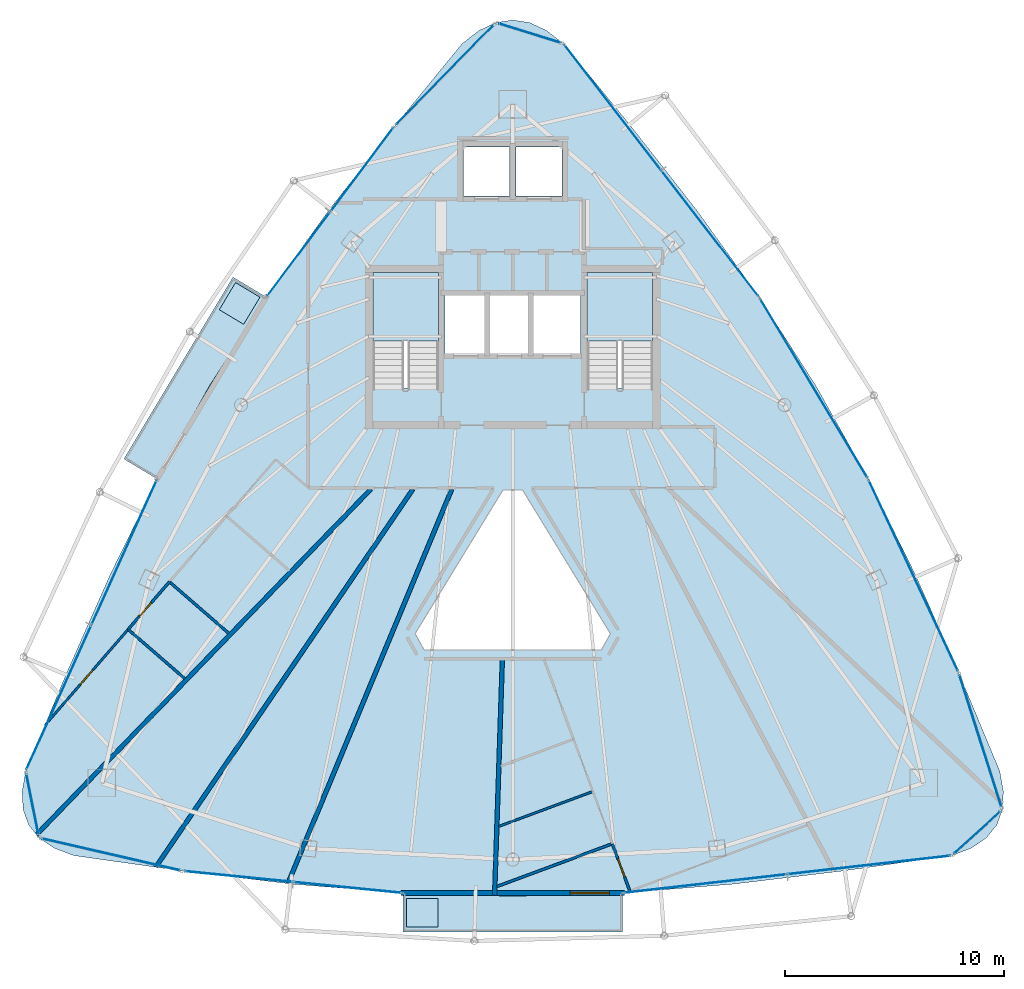
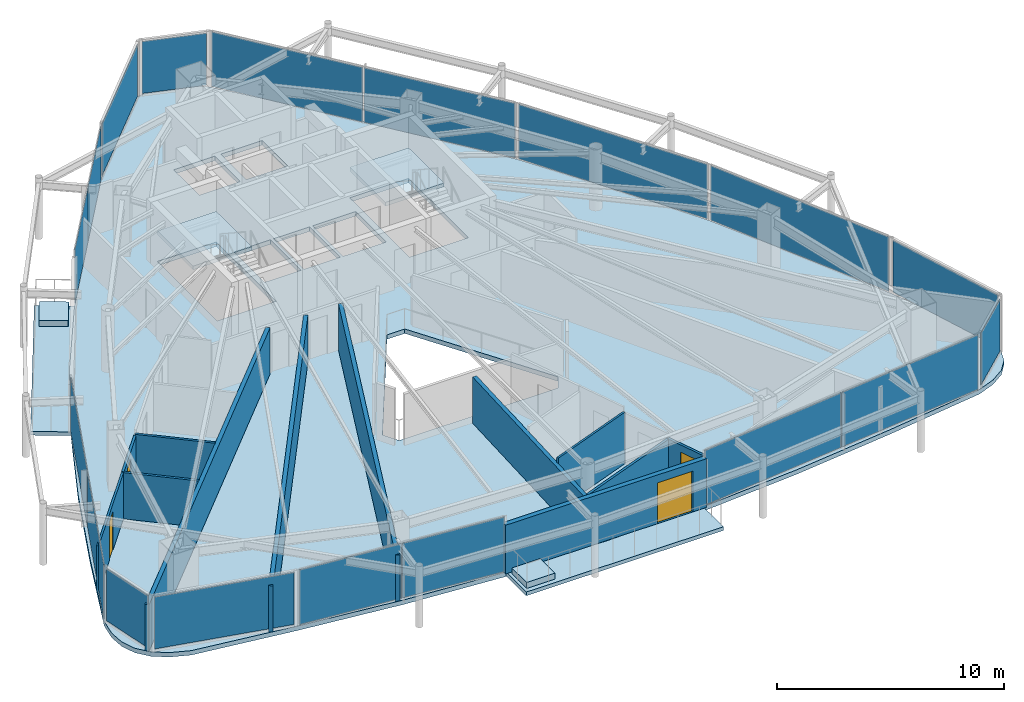
# One storey, part 25 of 29: 18 plates, 12 walls, 7 slabs, 4 doors, 4 openings, 15 elements without a shape of their own.
"""IFC4 building model written with IfcOpenShell, lengths in metres."""

from ifc_helpers import new_model, si_unit, direction, frame, frame_2d, origin, origin_2d, place, context, subcontext, project, spatial, polyline, rectangle, outline, extrude, material, layer, layer_set, type_object, element, fill, aggregate, save


model = new_model("IFC4")

# Units and contexts
model_context = context("Model", 3, precision=1e-05, world=origin(), true_north=direction((0.0, 1.0)))
body_context = subcontext(model_context, "Body", "Model", "MODEL_VIEW")
ifc_project = project(units=[si_unit("LENGTHUNIT", "METRE"), si_unit("AREAUNIT", "SQUARE_METRE"), si_unit("VOLUMEUNIT", "CUBIC_METRE"), si_unit("PLANEANGLEUNIT", "RADIAN"), si_unit("MASSUNIT", "GRAM", prefix="KILO")], contexts=[model_context])

# Site, building, storey
site_placement = place(None, origin())
site = spatial("IfcSite", under=ifc_project, at=site_placement, CompositionType="ELEMENT")
building_placement = place(site_placement, origin())
building = spatial("IfcBuilding", under=site, at=building_placement, Name="Orvanel Arch Residences", CompositionType="ELEMENT")
storey_placement = place(building_placement, frame((0.0, 0.0, 243.64990234375)))
storey = spatial("IfcBuildingStorey", under=building, at=storey_placement, Name="L69", CompositionType="ELEMENT", Elevation=243.64990234375)

# Curtain wall, plates
ifc_material_1 = material(Name="Bronze-anodised aluminium AA6063-T6", Category="aluminium")
ifc_layer_1 = layer(ifc_material_1, 0.175048828125)
ifc_layer_set_1 = layer_set([ifc_layer_1], Name="Bronze-anodised aluminium AA6063-T6")
curtain_wall_type_1 = type_object("IfcCurtainWallType", Name="CW4-HI-SYS", PredefinedType="NOTDEFINED", material=ifc_layer_set_1)
curtain_wall_1_placement = place(storey_placement, origin())
curtain_wall_1 = element("IfcCurtainWall", 1, at=curtain_wall_1_placement, inside=storey, type_object=curtain_wall_type_1, Name="L69 CW4-HI-SYS Unitised Curtain Wall", PredefinedType="NOTDEFINED")
ifc_material_2 = material(Name="Double-glazed solar-control low-E safety glass", Category="glass")
ifc_layer_2 = layer(ifc_material_2, 0.028076171875)
ifc_layer_set_2 = layer_set([ifc_layer_2], Name="Double-glazed solar-control low-E safety glass")
plate_type_1 = type_object("IfcPlateType", Name="PNL-GLZ-28", PredefinedType="CURTAIN_PANEL", material=ifc_layer_set_2)
plate_1_placement = place(storey_placement, frame((26.0966796875, 38.406494140625, 0.06005859375), z_axis=(0.0, 0.0, 1.0), x_axis=(-0.599901144567, -0.800074132032, 0.0)))
plate_1 = element("IfcPlate", 2, at=plate_1_placement, type_object=plate_type_1, Name="CW-S4 panel 1.1", PredefinedType="CURTAIN_PANEL", context=body_context, shape_type="SweptSolid", body=[
    extrude(rectangle(XDim=4.75830078125, YDim=0.028076171875, at=origin_2d()), origin(), (0.0, 0.0, 1.0), 2.93994140625),
])
plate_2_placement = place(storey_placement, frame((23.203369140625, 34.547607421875, 0.06005859375), z_axis=(0.0, 0.0, 1.0), x_axis=(-0.599901144567, -0.800074132032, 0.0)))
plate_2 = element("IfcPlate", 3, at=plate_2_placement, type_object=plate_type_1, Name="CW-S4 panel 2.1", PredefinedType="CURTAIN_PANEL", context=body_context, shape_type="SweptSolid", body=[
    extrude(rectangle(XDim=4.75830078125, YDim=0.028076171875, at=origin_2d()), origin(), (0.0, 0.0, 1.0), 2.93994140625),
])
aggregate(curtain_wall_1, [plate_1, plate_2])

curtain_wall_2_placement = place(storey_placement, origin())
curtain_wall_2 = element("IfcCurtainWall", 4, at=curtain_wall_2_placement, inside=storey, type_object=curtain_wall_type_1, Name="L69 CW4-HI-SYS Unitised Curtain Wall", PredefinedType="NOTDEFINED")
plate_3_placement = place(storey_placement, frame((15.220458984375, 20.89453125, 0.06005859375), z_axis=(0.0, 0.0, 1.0), x_axis=(-0.410572405987, -0.911827998826, 0.0)))
plate_3 = element("IfcPlate", 5, at=plate_3_placement, type_object=plate_type_1, Name="CW-S4 panel 1.1", PredefinedType="CURTAIN_PANEL", context=body_context, shape_type="SweptSolid", body=[
    extrude(rectangle(XDim=7.208251953125, YDim=0.028076171875, at=origin_2d()), origin(), (0.0, 0.0, 1.0), 2.93994140625),
])
plate_4_placement = place(storey_placement, frame((12.234375, 14.262451171875, 0.06005859375), z_axis=(0.0, 0.0, 1.0), x_axis=(-0.410572405987, -0.911827998826, 0.0)))
plate_4 = element("IfcPlate", 6, at=plate_4_placement, type_object=plate_type_1, Name="CW-S4 panel 2.1", PredefinedType="CURTAIN_PANEL", context=body_context, shape_type="SweptSolid", body=[
    extrude(rectangle(XDim=7.208251953125, YDim=0.028076171875, at=origin_2d()), origin(), (0.0, 0.0, 1.0), 2.93994140625),
])
aggregate(curtain_wall_2, [plate_3, plate_4])

curtain_wall_3_placement = place(storey_placement, origin())
curtain_wall_3 = element("IfcCurtainWall", 7, at=curtain_wall_3_placement, inside=storey, type_object=curtain_wall_type_1, Name="L69 CW4-HI-SYS Unitised Curtain Wall", PredefinedType="NOTDEFINED")
plate_5_placement = place(storey_placement, frame((20.470458984375, 6.065673828125, 0.06005859375), z_axis=(0.0, 0.0, 1.0), x_axis=(0.99505194986, -0.099356011792, 0.0)))
plate_5 = element("IfcPlate", 8, at=plate_5_placement, type_object=plate_type_1, Name="CW-S4 panel 1.1", PredefinedType="CURTAIN_PANEL", context=body_context, shape_type="SweptSolid", body=[
    extrude(rectangle(XDim=4.929931640625, YDim=0.028076171875, at=origin_2d()), origin(), (0.0, 0.0, 1.0), 2.93994140625),
])
plate_6_placement = place(storey_placement, frame((25.440673828125, 5.5693359375, 0.06005859375), z_axis=(0.0, 0.0, 1.0), x_axis=(0.99505194986, -0.099356011792, 0.0)))
plate_6 = element("IfcPlate", 9, at=plate_6_placement, type_object=plate_type_1, Name="CW-S4 panel 2.1", PredefinedType="CURTAIN_PANEL", context=body_context, shape_type="SweptSolid", body=[
    extrude(rectangle(XDim=4.929931640625, YDim=0.028076171875, at=origin_2d()), origin(), (0.0, 0.0, 1.0), 2.93994140625),
])
aggregate(curtain_wall_3, [plate_5, plate_6])

curtain_wall_4_placement = place(storey_placement, origin())
curtain_wall_4 = element("IfcCurtainWall", 10, at=curtain_wall_4_placement, inside=storey, type_object=curtain_wall_type_1, Name="L69 CW4-HI-SYS Unitised Curtain Wall", PredefinedType="NOTDEFINED")
plate_7_placement = place(storey_placement, frame((41.81494140625, 5.7470703125, 0.06005859375), z_axis=(0.0, 0.0, 1.0), x_axis=(0.993594966733, 0.113000186209, 0.0)))
plate_7 = element("IfcPlate", 11, at=plate_7_placement, type_object=plate_type_1, Name="CW-S4 panel 1.1", PredefinedType="CURTAIN_PANEL", context=body_context, shape_type="SweptSolid", body=[
    extrude(rectangle(XDim=7.46435546875, YDim=0.028076171875, at=origin_2d()), origin(), (0.0, 0.0, 1.0), 2.93994140625),
])
plate_8_placement = place(storey_placement, frame((49.296142578125, 6.597900390625, 0.06005859375), z_axis=(0.0, 0.0, 1.0), x_axis=(0.993594966733, 0.113000186209, 0.0)))
plate_8 = element("IfcPlate", 12, at=plate_8_placement, type_object=plate_type_1, Name="CW-S4 panel 2.1", PredefinedType="CURTAIN_PANEL", context=body_context, shape_type="SweptSolid", body=[
    extrude(rectangle(XDim=7.46435546875, YDim=0.028076171875, at=origin_2d()), origin(), (0.0, 0.0, 1.0), 2.93994140625),
])
aggregate(curtain_wall_4, [plate_7, plate_8])

# Curtain wall, plate
curtain_wall_5_placement = place(storey_placement, origin())
curtain_wall_5 = element("IfcCurtainWall", 13, at=curtain_wall_5_placement, inside=storey, type_object=curtain_wall_type_1, Name="L69 CW4-HI-SYS Unitised Curtain Wall", PredefinedType="NOTDEFINED")
plate_9_placement = place(storey_placement, frame((51.32958984375, 19.840576171875, 0.06005859375), z_axis=(0.0, 0.0, 1.0), x_axis=(-0.423460283576, 0.9059146694, 0.0)))
plate_9 = element("IfcPlate", 14, at=plate_9_placement, type_object=plate_type_1, Name="CW-S4 panel 1.1", PredefinedType="CURTAIN_PANEL", context=body_context, shape_type="SweptSolid", body=[
    extrude(rectangle(XDim=9.582763671875, YDim=0.028076171875, at=origin_2d()), origin(), (0.0, 0.0, 1.0), 2.93994140625),
])
aggregate(curtain_wall_5, [plate_9])

curtain_wall_6_placement = place(storey_placement, origin())
curtain_wall_6 = element("IfcCurtainWall", 15, at=curtain_wall_6_placement, inside=storey, type_object=curtain_wall_type_1, Name="L69 CW4-HI-SYS Unitised Curtain Wall", PredefinedType="NOTDEFINED")
plate_10_placement = place(storey_placement, frame((46.77001953125, 28.4169921875, 0.06005859375), z_axis=(0.0, 0.0, 1.0), x_axis=(-0.514465309766, 0.857511192375, 0.0)))
plate_10 = element("IfcPlate", 16, at=plate_10_placement, type_object=plate_type_1, Name="CW-S4 panel 1.1", PredefinedType="CURTAIN_PANEL", context=body_context, shape_type="SweptSolid", body=[
    extrude(rectangle(XDim=9.530517578125, YDim=0.028076171875, at=origin_2d()), origin(), (0.0, 0.0, 1.0), 2.93994140625),
])
aggregate(curtain_wall_6, [plate_10])

# Curtain wall, plates
curtain_wall_7_placement = place(storey_placement, origin())
curtain_wall_7 = element("IfcCurtainWall", 17, at=curtain_wall_7_placement, inside=storey, type_object=curtain_wall_type_1, Name="L69 CW4-HI-SYS Unitised Curtain Wall", PredefinedType="NOTDEFINED")
plate_11_placement = place(storey_placement, frame((42.0205078125, 35.495849609375, 0.06005859375), z_axis=(0.0, 0.0, 1.0), x_axis=(-0.611198135446, 0.791477630276, 0.0)))
plate_11 = element("IfcPlate", 18, at=plate_11_placement, type_object=plate_type_1, Name="CW-S4 panel 1.1", PredefinedType="CURTAIN_PANEL", context=body_context, shape_type="SweptSolid", body=[
    extrude(rectangle(XDim=7.207763671875, YDim=0.028076171875, at=origin_2d()), origin(), (0.0, 0.0, 1.0), 2.93994140625),
])
plate_12_placement = place(storey_placement, frame((37.575439453125, 41.252197265625, 0.06005859375), z_axis=(0.0, 0.0, 1.0), x_axis=(-0.611198135446, 0.791477630276, 0.0)))
plate_12 = element("IfcPlate", 19, at=plate_12_placement, type_object=plate_type_1, Name="CW-S4 panel 2.1", PredefinedType="CURTAIN_PANEL", context=body_context, shape_type="SweptSolid", body=[
    extrude(rectangle(XDim=7.207763671875, YDim=0.028076171875, at=origin_2d()), origin(), (0.0, 0.0, 1.0), 2.93994140625),
])
aggregate(curtain_wall_7, [plate_11, plate_12])

# Curtain wall, plate
ifc_layer_3 = layer(ifc_material_1, 0.18994140625)
ifc_layer_set_3 = layer_set([ifc_layer_3], Name="Bronze-anodised aluminium AA6063-T6")
curtain_wall_type_2 = type_object("IfcCurtainWallType", Name="CW5-CRN-SYS", PredefinedType="NOTDEFINED", material=ifc_layer_set_3)
curtain_wall_8_placement = place(storey_placement, origin())
curtain_wall_8 = element("IfcCurtainWall", 20, at=curtain_wall_8_placement, inside=storey, type_object=curtain_wall_type_2, Name="L69 CW5-CRN-SYS Unitised Curtain Wall", PredefinedType="NOTDEFINED")
ifc_layer_4 = layer(ifc_material_2, 0.031982421875)
ifc_layer_set_4 = layer_set([ifc_layer_4], Name="Double-glazed solar-control low-E safety glass")
plate_type_2 = type_object("IfcPlateType", Name="PNL-GLZ-32", PredefinedType="CURTAIN_PANEL", material=ifc_layer_set_4)
plate_13_placement = place(storey_placement, frame((33.7734375, 44.654052734375, 0.1298828125), z_axis=(0.0, 0.0, 1.0), x_axis=(-0.954774052968, 0.297332318759, 0.0)))
plate_13 = element("IfcPlate", 21, at=plate_13_placement, type_object=plate_type_2, Name="CW-S5 panel 1.1", PredefinedType="CURTAIN_PANEL", context=body_context, shape_type="SweptSolid", body=[
    extrude(rectangle(XDim=2.90185546875, YDim=0.031982421875, at=origin_2d()), origin(), (0.0, 0.0, 1.0), 2.800048828125),
])
aggregate(curtain_wall_8, [plate_13])

curtain_wall_9_placement = place(storey_placement, origin())
curtain_wall_9 = element("IfcCurtainWall", 22, at=curtain_wall_9_placement, inside=storey, type_object=curtain_wall_type_2, Name="L69 CW5-CRN-SYS Unitised Curtain Wall", PredefinedType="NOTDEFINED")
plate_14_placement = place(storey_placement, frame((29.900390625, 42.757080078125, 0.1298828125), z_axis=(0.0, 0.0, 1.0), x_axis=(-0.69897161419, -0.71514941275, 0.0)))
plate_14 = element("IfcPlate", 23, at=plate_14_placement, type_object=plate_type_2, Name="CW-S5 panel 1.1", PredefinedType="CURTAIN_PANEL", context=body_context, shape_type="SweptSolid", body=[
    extrude(rectangle(XDim=6.31396484375, YDim=0.031982421875, at=origin_2d()), origin(), (0.0, 0.0, 1.0), 2.800048828125),
])
aggregate(curtain_wall_9, [plate_14])

curtain_wall_10_placement = place(storey_placement, origin())
curtain_wall_10 = element("IfcCurtainWall", 24, at=curtain_wall_10_placement, inside=storey, type_object=curtain_wall_type_2, Name="L69 CW5-CRN-SYS Unitised Curtain Wall", PredefinedType="NOTDEFINED")
plate_15_placement = place(storey_placement, frame((11.02490234375, 9.367919921875, 0.1298828125), z_axis=(0.0, 0.0, 1.0), x_axis=(0.195367162167, -0.980730172854, 0.0)))
plate_15 = element("IfcPlate", 25, at=plate_15_placement, type_object=plate_type_2, Name="CW-S5 panel 1.1", PredefinedType="CURTAIN_PANEL", context=body_context, shape_type="SweptSolid", body=[
    extrude(rectangle(XDim=2.781494140625, YDim=0.031982421875, at=origin_2d()), origin(), (0.0, 0.0, 1.0), 2.800048828125),
])
aggregate(curtain_wall_10, [plate_15])

curtain_wall_11_placement = place(storey_placement, origin())
curtain_wall_11 = element("IfcCurtainWall", 26, at=curtain_wall_11_placement, inside=storey, type_object=curtain_wall_type_2, Name="L69 CW5-CRN-SYS Unitised Curtain Wall", PredefinedType="NOTDEFINED")
plate_16_placement = place(storey_placement, frame((14.631591796875, 7.077880859375, 0.1298828125), z_axis=(0.0, 0.0, 1.0), x_axis=(0.974553565223, -0.224154742337, 0.0)))
plate_16 = element("IfcPlate", 27, at=plate_16_placement, type_object=plate_type_2, Name="CW-S5 panel 1.1", PredefinedType="CURTAIN_PANEL", context=body_context, shape_type="SweptSolid", body=[
    extrude(rectangle(XDim=6.4365234375, YDim=0.031982421875, at=origin_2d()), origin(), (0.0, 0.0, 1.0), 2.800048828125),
])
aggregate(curtain_wall_11, [plate_16])

curtain_wall_12_placement = place(storey_placement, origin())
curtain_wall_12 = element("IfcCurtainWall", 28, at=curtain_wall_12_placement, inside=storey, type_object=curtain_wall_type_2, Name="L69 CW5-CRN-SYS Unitised Curtain Wall", PredefinedType="NOTDEFINED")
plate_17_placement = place(storey_placement, frame((54.244384765625, 8.077880859375, 0.1298828125), z_axis=(0.0, 0.0, 1.0), x_axis=(0.740204322001, 0.672382005775, 0.0)))
plate_17 = element("IfcPlate", 29, at=plate_17_placement, type_object=plate_type_2, Name="CW-S5 panel 1.1", PredefinedType="CURTAIN_PANEL", context=body_context, shape_type="SweptSolid", body=[
    extrude(rectangle(XDim=2.781494140625, YDim=0.031982421875, at=origin_2d()), origin(), (0.0, 0.0, 1.0), 2.800048828125),
])
aggregate(curtain_wall_12, [plate_17])

curtain_wall_13_placement = place(storey_placement, origin())
curtain_wall_13 = element("IfcCurtainWall", 30, at=curtain_wall_13_placement, inside=storey, type_object=curtain_wall_type_2, Name="L69 CW5-CRN-SYS Unitised Curtain Wall", PredefinedType="NOTDEFINED")
plate_18_placement = place(storey_placement, frame((54.39697265625, 12.27490234375, 0.1298828125), z_axis=(0.0, 0.0, 1.0), x_axis=(-0.303593263494, 0.952801726678, 0.0)))
plate_18 = element("IfcPlate", 31, at=plate_18_placement, type_object=plate_type_2, Name="CW-S5 panel 1.1", PredefinedType="CURTAIN_PANEL", context=body_context, shape_type="SweptSolid", body=[
    extrude(rectangle(XDim=6.26806640625, YDim=0.031982421875, at=origin_2d()), origin(), (0.0, 0.0, 1.0), 2.800048828125),
])
aggregate(curtain_wall_13, [plate_18])

# Slabs
ifc_material_3 = material(Name="Concrete N40 (40 MPa)", Category="concrete")
ifc_layer_5 = layer(ifc_material_3, 0.199951171875)
ifc_layer_set_5 = layer_set([ifc_layer_5], Name="Concrete N40 (40 MPa)")
slab_type_1 = type_object("IfcSlabType", Name="SLB-BAL-200", PredefinedType="FLOOR", material=ifc_layer_set_5)
slab_1_placement = place(storey_placement, frame((0.0, 0.0, -0.199951171875)))
element("IfcSlab", 32, at=slab_1_placement, inside=storey, type_object=slab_type_1, Name="L69 Cantilevered Balcony Slab Face 1", PredefinedType="FLOOR", context=body_context, shape_type="SweptSolid", body=[
    extrude(outline(polyline([(20.197998046875, 33.491943359375), (15.208984375, 25.173095703125), (16.735107421875, 24.258056640625), (19.10888671875, 28.489013671875), (21.72509765625, 32.575927734375), (20.197998046875, 33.491943359375)])), origin(), (0.0, 0.0, 1.0), 0.199951171875),
])
slab_2_placement = place(storey_placement, frame((0.0, 0.0, -0.199951171875)))
element("IfcSlab", 33, at=slab_2_placement, inside=storey, type_object=slab_type_1, Name="L69 Cantilevered Balcony Slab Face 2", PredefinedType="FLOOR", context=body_context, shape_type="SweptSolid", body=[
    extrude(outline(polyline([(27.97802734375, 3.535888671875), (38.02197265625, 3.535888671875), (38.02197265625, 5.31591796875), (33.0, 5.174072265625), (27.97802734375, 5.31591796875), (27.97802734375, 3.535888671875)])), origin(), (0.0, 0.0, 1.0), 0.199951171875),
])

# Stair, slab
ifc_material_4 = material(Name="Precast concrete N50 (50 MPa)", Category="concrete")
stair_type = type_object("IfcStairType", Name="STR-DOG-184", PredefinedType="USERDEFINED", material=ifc_material_4)
stair_1_placement = place(storey_placement, origin())
stair_1 = element("IfcStair", 34, at=stair_1_placement, inside=storey, type_object=stair_type, Name="L69 Fire-Isolated Core Exit Stair 1", ObjectType="TWO_RETURN_STAIR", PredefinedType="USERDEFINED")
ifc_layer_6 = layer(ifc_material_3, 0.199951171875)
ifc_layer_set_6 = layer_set([ifc_layer_6], Name="Concrete N40 (40 MPa)")
slab_type_2 = type_object("IfcSlabType", Name="SLB-LND-200", PredefinedType="LANDING", material=ifc_layer_set_6)
slab_3_placement = place(storey_placement, frame((0.0, 0.0, 1.4501953125)))
slab_3 = element("IfcSlab", 35, at=slab_3_placement, type_object=slab_type_2, Name="ST-1 landing 1", PredefinedType="LANDING", context=body_context, shape_type="SweptSolid", body=[
    extrude(outline(polyline([(29.60009765625, 30.56005859375), (29.60009765625, 33.699951171875), (26.60009765625, 33.699951171875), (26.60009765625, 30.56005859375), (29.60009765625, 30.56005859375)])), origin(), (0.0, 0.0, 1.0), 0.199951171875),
])
aggregate(stair_1, [slab_3])

stair_2_placement = place(storey_placement, origin())
stair_2 = element("IfcStair", 36, at=stair_2_placement, inside=storey, type_object=stair_type, Name="L69 Fire-Isolated Core Exit Stair 2", ObjectType="TWO_RETURN_STAIR", PredefinedType="USERDEFINED")
slab_4_placement = place(storey_placement, frame((0.0, 0.0, 1.4501953125)))
slab_4 = element("IfcSlab", 37, at=slab_4_placement, type_object=slab_type_2, Name="ST-2 landing 1", PredefinedType="LANDING", context=body_context, shape_type="SweptSolid", body=[
    extrude(outline(polyline([(39.39990234375, 30.56005859375), (39.39990234375, 33.699951171875), (36.39990234375, 33.699951171875), (36.39990234375, 30.56005859375), (39.39990234375, 30.56005859375)])), origin(), (0.0, 0.0, 1.0), 0.199951171875),
])
aggregate(stair_2, [slab_4])

# Slabs
ifc_material_5 = material(Name="Structural architectural precast concrete N40 (40 MPa) planter", Category="concrete")
ifc_layer_7 = layer(ifc_material_5, 0.320068359375)
ifc_layer_set_7 = layer_set([ifc_layer_7], Name="Structural architectural precast concrete N40 (40 MPa) planter")
slab_type_3 = type_object("IfcSlabType", Name="SLB-PLN-320", PredefinedType="USERDEFINED", material=ifc_layer_set_7)
slab_5_placement = place(storey_placement, origin())
element("IfcSlab", 38, at=slab_5_placement, inside=storey, type_object=slab_type_3, Name="L69 Balcony TREE PLANTER Face 1", ObjectType="PLANTER", PredefinedType="USERDEFINED", context=body_context, shape_type="SweptSolid", body=[
    extrude(outline(polyline([(20.318115234375, 33.2451171875), (19.572998046875, 32.0009765625), (20.68701171875, 31.3330078125), (21.43310546875, 32.575927734375), (20.318115234375, 33.2451171875)])), origin(), (0.0, 0.0, 1.0), 0.320068359375),
])
slab_6_placement = place(storey_placement, origin())
element("IfcSlab", 39, at=slab_6_placement, inside=storey, type_object=slab_type_3, Name="L69 Balcony TREE PLANTER Face 2", ObjectType="PLANTER", PredefinedType="USERDEFINED", context=body_context, shape_type="SweptSolid", body=[
    extrude(outline(polyline([(28.1279296875, 3.76611328125), (29.577880859375, 3.76611328125), (29.577880859375, 5.06591796875), (28.1279296875, 5.06591796875), (28.1279296875, 3.76611328125)])), origin(), (0.0, 0.0, 1.0), 0.320068359375),
])
ifc_layer_8 = layer(ifc_material_3, 0.239990234375)
ifc_layer_set_8 = layer_set([ifc_layer_8], Name="Concrete N40 (40 MPa)")
slab_type_4 = type_object("IfcSlabType", Name="SLB-TYP-240", PredefinedType="FLOOR", material=ifc_layer_set_8)
slab_7_placement = place(storey_placement, frame((0.0, 0.0, -0.239990234375)))
element("IfcSlab", 40, at=slab_7_placement, inside=storey, type_object=slab_type_4, Name="L69 Tower Floor Slab", PredefinedType="FLOOR", context=body_context, shape_type="SweptSolid", body=[
    extrude(outline(polyline([(35.321044921875, 44.172119140625), (34.547119140625, 44.77392578125), (33.77392578125, 45.135986328125), (33.0, 45.256103515625), (32.22607421875, 45.135986328125), (31.452880859375, 44.77392578125), (30.678955078125, 44.172119140625), (27.574951171875, 40.3779296875), (24.56396484375, 36.529052734375), (21.72509765625, 32.575927734375), (19.10888671875, 28.489013671875), (16.735107421875, 24.258056640625), (14.5849609375, 19.89208984375), (12.60595703125, 15.423095703125), (10.719970703125, 10.89892578125), (10.552978515625, 9.952880859375), (10.60009765625, 9.126953125), (10.85791015625, 8.422119140625), (11.330078125, 7.8369140625), (12.013916015625, 7.373046875), (12.910888671875, 7.029052734375), (17.93310546875, 6.319091796875), (22.9560546875, 5.718017578125), (27.97802734375, 5.31591796875), (33.0, 5.174072265625), (38.02197265625, 5.31591796875), (43.0439453125, 5.718017578125), (48.06689453125, 6.319091796875), (53.089111328125, 7.029052734375), (53.986083984375, 7.373046875), (54.669921875, 7.8369140625), (55.14208984375, 8.422119140625), (55.39990234375, 9.126953125), (55.447021484375, 9.952880859375), (55.280029296875, 10.89892578125), (53.39404296875, 15.423095703125), (51.4150390625, 19.89208984375), (49.264892578125, 24.258056640625), (46.89111328125, 28.489013671875), (44.27490234375, 32.575927734375), (41.43603515625, 36.529052734375), (38.425048828125, 40.3779296875), (35.321044921875, 44.172119140625)]), holes=[polyline([(26.60009765625, 28.429931640625), (26.60009765625, 33.699951171875), (29.60009765625, 33.699951171875), (29.60009765625, 28.429931640625), (26.60009765625, 28.429931640625)]), polyline([(36.39990234375, 28.429931640625), (36.39990234375, 33.699951171875), (39.39990234375, 33.699951171875), (39.39990234375, 28.429931640625), (36.39990234375, 28.429931640625)]), polyline([(29.89990234375, 32.64990234375), (31.75, 32.64990234375), (31.75, 29.949951171875), (29.89990234375, 29.949951171875), (29.89990234375, 32.64990234375)]), polyline([(31.89990234375, 32.64990234375), (33.75, 32.64990234375), (33.75, 29.949951171875), (31.89990234375, 29.949951171875), (31.89990234375, 32.64990234375)]), polyline([(33.89990234375, 32.64990234375), (36.10009765625, 32.64990234375), (36.10009765625, 29.949951171875), (33.89990234375, 29.949951171875), (33.89990234375, 32.64990234375)]), polyline([(30.75, 39.449951171875), (32.85009765625, 39.449951171875), (32.85009765625, 37.199951171875), (30.75, 37.199951171875), (30.75, 39.449951171875)]), polyline([(33.14990234375, 39.449951171875), (35.25, 39.449951171875), (35.25, 37.199951171875), (33.14990234375, 37.199951171875), (33.14990234375, 39.449951171875)]), polyline([(37.468017578125, 17.179931640625), (37.052001953125, 16.43896484375), (28.947998046875, 16.43896484375), (28.531982421875, 17.179931640625), (32.547119140625, 23.7470703125), (33.452880859375, 23.7470703125), (37.468017578125, 17.179931640625)])]), origin(), (0.0, 0.0, 1.0), 0.239990234375),
])

# Wall, opening, door
ifc_layer_9 = layer(ifc_material_4, 0.239990234375)
ifc_layer_set_9 = layer_set([ifc_layer_9], Name="Precast concrete N50 (50 MPa)")
wall_type_1 = type_object("IfcWallType", Name="EW-BAL-240", PredefinedType="SOLIDWALL", material=ifc_layer_set_9)
wall_1_placement = place(storey_placement, frame((27.8798828125, 5.31591796875, 0.0), z_axis=(0.0, 0.0, 1.0), x_axis=(1.0, 0.0, 0.0)))
wall_1 = element("IfcWall", 41, at=wall_1_placement, inside=storey, type_object=wall_type_1, Name="L69 Balcony Threshold Wall Face 2", PredefinedType="SOLIDWALL", context=body_context, shape_type="SweptSolid", body=[
    extrude(rectangle(XDim=10.240234375, YDim=0.239990234375, at=frame_2d((5.1201171875, 0.0))), origin(), (0.0, 0.0, 1.0), 2.6240234375),
])
opening_1_placement = place(wall_1_placement, frame((7.742919921875, 0.0, 0.0)))
opening_1 = element("IfcOpeningElement", 42, at=opening_1_placement, cuts=wall_1, Name="Opening DB-180", PredefinedType="OPENING", context=body_context, shape_type="SweptSolid", body=[
    extrude(rectangle(XDim=1.800048828125, YDim=2.199951171875, at=frame_2d((0.89990234375, 1.10009765625))), frame((0.0, 0.1298828125, 0.0), z_axis=(0.0, -1.0, 0.0), x_axis=(1.0, 0.0, 0.0)), (0.0, 0.0, 1.0), 0.260009765625),
])
door_type_1 = type_object("IfcDoorType", Name="DR-BAL-1800", OperationType="NOTDEFINED", PredefinedType="DOOR", material=ifc_material_1)
door_1_placement = place(opening_1_placement, origin())
door_1 = element("IfcDoor", 43, at=door_1_placement, inside=storey, type_object=door_type_1, Name="DR-L69-BAL-F2 L69 Planted Balcony Access Door Face 2", OperationType="SINGLE_SWING_RIGHT", OverallHeight=2.199951171875, OverallWidth=1.800048828125, PredefinedType="DOOR", context=body_context, shape_type="SweptSolid", body=[
    extrude(rectangle(XDim=1.800048828125, YDim=2.199951171875, at=frame_2d((0.89990234375, 1.10009765625))), frame((0.0, 0.02490234375, 0.0), z_axis=(0.0, -1.0, 0.0), x_axis=(1.0, 0.0, 0.0)), (0.0, 0.0, 1.0), 0.050048828125),
])
fill(opening_1, door_1)

# Walls
ifc_material_6 = material(Name="Fire-rated plasterboard lined steel stud partition", Category="steel")
ifc_layer_10 = layer(ifc_material_6, 0.199951171875)
ifc_layer_set_10 = layer_set([ifc_layer_10], Name="Fire-rated plasterboard lined steel stud partition")
wall_type_2 = type_object("IfcWallType", Name="W-DEM-200", PredefinedType="PARTITIONING", material=ifc_layer_set_10)
wall_2_placement = place(storey_placement, frame((32.1689453125, 5.212890625, 0.0), z_axis=(0.0, 0.0, 1.0), x_axis=(0.032863548895, 0.999459847695, 0.0)))
element("IfcWall", 44, at=wall_2_placement, inside=storey, type_object=wall_type_2, Name="L69 Inter-Tenancy Acoustic Demising Wall", PredefinedType="PARTITIONING", context=body_context, shape_type="SweptSolid", body=[
    extrude(rectangle(XDim=10.77197265625, YDim=0.199951171875, at=frame_2d((5.385986328125, 0.0))), origin(), (0.0, 0.0, 1.0), 2.4921875),
])
wall_3_placement = place(storey_placement, frame((26.508056640625, 23.7900390625, 0.0), z_axis=(0.0, 0.0, 1.0), x_axis=(-0.695365551949, -0.71865621069, 0.0)))
element("IfcWall", 45, at=wall_3_placement, inside=storey, type_object=wall_type_2, Name="L69 Inter-Tenancy Acoustic Demising Wall", PredefinedType="PARTITIONING", context=body_context, shape_type="SweptSolid", body=[
    extrude(rectangle(XDim=21.9814453125, YDim=0.199951171875, at=frame_2d((10.99072265625, 0.0))), origin(), (0.0, 0.0, 1.0), 2.4921875),
])
wall_4_placement = place(storey_placement, frame((22.717041015625, 5.760986328125, 0.0), z_axis=(0.0, 0.0, 1.0), x_axis=(0.383820587854, 0.923407686961, 0.0)))
element("IfcWall", 46, at=wall_4_placement, inside=storey, type_object=wall_type_2, Name="L69 Inter-Tenancy Acoustic Demising Wall", PredefinedType="PARTITIONING", context=body_context, shape_type="SweptSolid", body=[
    extrude(rectangle(XDim=19.5244140625, YDim=0.199951171875, at=frame_2d((9.76220703125, 0.0))), origin(), (0.0, 0.0, 1.0), 2.4921875),
])
wall_5_placement = place(storey_placement, frame((16.674072265625, 6.510986328125, 0.0), z_axis=(0.0, 0.0, 1.0), x_axis=(0.562645442508, 0.82669831621, 0.0)))
element("IfcWall", 47, at=wall_5_placement, inside=storey, type_object=wall_type_2, Name="L69 Inter-Tenancy Acoustic Demising Wall", PredefinedType="PARTITIONING", context=body_context, shape_type="SweptSolid", body=[
    extrude(rectangle(XDim=20.9013671875, YDim=0.199951171875, at=frame_2d((10.45068359375, 0.0))), origin(), (0.0, 0.0, 1.0), 2.4921875),
])
ifc_material_7 = material(Name="Acoustic plasterboard lined twin-stud partition", Category="gypsum")
ifc_layer_11 = layer(ifc_material_7, 0.10009765625)
ifc_layer_set_11 = layer_set([ifc_layer_11], Name="Acoustic plasterboard lined twin-stud partition")
wall_type_3 = type_object("IfcWallType", Name="W-INT-100", PredefinedType="PARTITIONING", material=ifc_layer_set_11)
wall_6_placement = place(storey_placement, frame((32.35791015625, 8.364013671875, 0.0), z_axis=(0.0, 0.0, 1.0), x_axis=(0.937636593966, 0.34761705605, 0.0)))
element("IfcWall", 48, at=wall_6_placement, inside=storey, type_object=wall_type_3, Name="L69 Studio B Internal Partition", PredefinedType="PARTITIONING", context=body_context, shape_type="SweptSolid", body=[
    extrude(rectangle(XDim=4.5966796875, YDim=0.10009765625, at=frame_2d((2.29833984375, 0.0))), origin(), (0.0, 0.0, 1.0), 2.773193359375),
])

# Wall, opening, door
wall_7_placement = place(storey_placement, frame((15.403076171875, 17.3759765625, 0.0), z_axis=(0.0, 0.0, 1.0), x_axis=(-0.655535791639, -0.755164105265, 0.0)))
wall_7 = element("IfcWall", 49, at=wall_7_placement, inside=storey, type_object=wall_type_3, Name="L69 Studio C Internal Partition", PredefinedType="PARTITIONING", context=body_context, shape_type="SweptSolid", body=[
    extrude(rectangle(XDim=5.802734375, YDim=0.10009765625, at=frame_2d((2.9013671875, 0.0))), origin(), (0.0, 0.0, 1.0), 2.4921875),
])
opening_2_placement = place(wall_7_placement, frame((2.4609375, 0.0, 0.0)))
opening_2 = element("IfcOpeningElement", 50, at=opening_2_placement, cuts=wall_7, Name="Opening DI-088", PredefinedType="OPENING", context=body_context, shape_type="SweptSolid", body=[
    extrude(rectangle(XDim=0.8798828125, YDim=2.10009765625, at=frame_2d((0.43994140625, 1.050048828125))), frame((0.0, 0.06005859375, 0.0), z_axis=(0.0, -1.0, 0.0), x_axis=(1.0, 0.0, 0.0)), (0.0, 0.0, 1.0), 0.1201171875),
])
ifc_material_8 = material(Name="Solid-core European oak veneer fire door leaf", Category="wood")
door_type_2 = type_object("IfcDoorType", Name="DR-INT-880", OperationType="NOTDEFINED", PredefinedType="DOOR", material=ifc_material_8)
door_2_placement = place(opening_2_placement, origin())
door_2 = element("IfcDoor", 51, at=door_2_placement, inside=storey, type_object=door_type_2, Name="DR-L69-C-DIN1 L69 Studio C Dining Room 1 Door", OperationType="SINGLE_SWING_LEFT", OverallHeight=2.10009765625, OverallWidth=0.8798828125, PredefinedType="DOOR", context=body_context, shape_type="SweptSolid", body=[
    extrude(rectangle(XDim=0.8798828125, YDim=2.10009765625, at=frame_2d((0.43994140625, 1.050048828125))), frame((0.0, 0.02490234375, 0.0), z_axis=(0.0, -1.0, 0.0), x_axis=(1.0, 0.0, 0.0)), (0.0, 0.0, 1.0), 0.050048828125),
])
fill(opening_2, door_2)

ifc_layer_12 = layer(ifc_material_7, 0.1201171875)
ifc_layer_set_12 = layer_set([ifc_layer_12], Name="Acoustic plasterboard lined twin-stud partition")
wall_type_4 = type_object("IfcWallType", Name="W-WET-120", PredefinedType="PARTITIONING", material=ifc_layer_set_12)
wall_8_placement = place(storey_placement, frame((38.375, 5.35791015625, 0.0), z_axis=(0.0, 0.0, 1.0), x_axis=(-0.347822952978, 0.937560234535, 0.0)))
wall_8 = element("IfcWall", 52, at=wall_8_placement, inside=storey, type_object=wall_type_4, Name="L69 Studio B Internal Partition", PredefinedType="PARTITIONING", context=body_context, shape_type="SweptSolid", body=[
    extrude(rectangle(XDim=2.360595703125, YDim=0.1201171875, at=frame_2d((1.18017578125, 0.0))), origin(), (0.0, 0.0, 1.0), 2.4921875),
])
opening_3_placement = place(wall_8_placement, frame((0.739990234375, 0.0, 0.0)))
opening_3 = element("IfcOpeningElement", 53, at=opening_3_placement, cuts=wall_8, Name="Opening DI-088", PredefinedType="OPENING", context=body_context, shape_type="SweptSolid", body=[
    extrude(rectangle(XDim=0.8798828125, YDim=2.10009765625, at=frame_2d((0.43994140625, 1.050048828125))), frame((0.0, 0.070068359375, 0.0), z_axis=(0.0, -1.0, 0.0), x_axis=(1.0, 0.0, 0.0)), (0.0, 0.0, 1.0), 0.14013671875),
])
door_3_placement = place(opening_3_placement, origin())
door_3 = element("IfcDoor", 54, at=door_3_placement, inside=storey, type_object=door_type_2, Name="DR-L69-B-KIT L69 Studio B Kitchenette Door", OperationType="SINGLE_SWING_LEFT", OverallHeight=2.10009765625, OverallWidth=0.8798828125, PredefinedType="DOOR", context=body_context, shape_type="SweptSolid", body=[
    extrude(rectangle(XDim=0.8798828125, YDim=2.10009765625, at=frame_2d((0.43994140625, 1.050048828125))), frame((0.0, 0.02490234375, 0.0), z_axis=(0.0, -1.0, 0.0), x_axis=(1.0, 0.0, 0.0)), (0.0, 0.0, 1.0), 0.050048828125),
])
fill(opening_3, door_3)

# Wall
wall_9_placement = place(storey_placement, frame((32.26708984375, 5.611083984375, 0.0), z_axis=(0.0, 0.0, 1.0), x_axis=(0.937641120959, 0.347604845027, 0.0)))
element("IfcWall", 55, at=wall_9_placement, inside=storey, type_object=wall_type_4, Name="L69 Studio B Internal Partition", PredefinedType="PARTITIONING", context=body_context, shape_type="SweptSolid", body=[
    extrude(rectangle(XDim=5.638427734375, YDim=0.1201171875, at=frame_2d((2.8193359375, 0.0))), origin(), (0.0, 0.0, 1.0), 2.4921875),
])

# Wall, opening, door
wall_10_placement = place(storey_placement, frame((17.29296875, 19.552978515625, 0.0), z_axis=(0.0, 0.0, 1.0), x_axis=(-0.655555788219, -0.755146746357, 0.0)))
wall_10 = element("IfcWall", 56, at=wall_10_placement, inside=storey, type_object=wall_type_4, Name="L69 Studio C Bathroom Partition", PredefinedType="PARTITIONING", context=body_context, shape_type="SweptSolid", body=[
    extrude(rectangle(XDim=2.8828125, YDim=0.1201171875, at=frame_2d((1.44140625, 0.0))), origin(), (0.0, 0.0, 1.0), 2.4921875),
])
opening_4_placement = place(wall_10_placement, frame((1.26904296875, 0.0, 0.0)))
opening_4 = element("IfcOpeningElement", 57, at=opening_4_placement, cuts=wall_10, Name="Opening DW-082", PredefinedType="OPENING", context=body_context, shape_type="SweptSolid", body=[
    extrude(rectangle(XDim=0.820068359375, YDim=2.10009765625, at=frame_2d((0.41015625, 1.050048828125))), frame((0.0, 0.070068359375, 0.0), z_axis=(0.0, -1.0, 0.0), x_axis=(1.0, 0.0, 0.0)), (0.0, 0.0, 1.0), 0.14013671875),
])
door_type_3 = type_object("IfcDoorType", Name="DR-WET-820", OperationType="NOTDEFINED", PredefinedType="DOOR", material=ifc_material_8)
door_4_placement = place(opening_4_placement, origin())
door_4 = element("IfcDoor", 58, at=door_4_placement, inside=storey, type_object=door_type_3, Name="DR-L69-C-BATH L69 Studio C Bathroom Door", OperationType="SINGLE_SWING_RIGHT", OverallHeight=2.10009765625, OverallWidth=0.820068359375, PredefinedType="DOOR", context=body_context, shape_type="SweptSolid", body=[
    extrude(rectangle(XDim=0.820068359375, YDim=2.10009765625, at=frame_2d((0.41015625, 1.050048828125))), frame((0.0, 0.02490234375, 0.0), z_axis=(0.0, -1.0, 0.0), x_axis=(1.0, 0.0, 0.0)), (0.0, 0.0, 1.0), 0.050048828125),
])
fill(opening_4, door_4)

# Walls
wall_11_placement = place(storey_placement, frame((17.29296875, 19.552978515625, 0.0), z_axis=(0.0, 0.0, 1.0), x_axis=(0.755140110276, -0.655563432364, 0.0)))
element("IfcWall", 59, at=wall_11_placement, inside=storey, type_object=wall_type_4, Name="L69 Studio C Bathroom Partition", PredefinedType="PARTITIONING", context=body_context, shape_type="SweptSolid", body=[
    extrude(rectangle(XDim=3.5966796875, YDim=0.1201171875, at=frame_2d((1.79833984375, 0.0))), origin(), (0.0, 0.0, 1.0), 2.565185546875),
])
wall_12_placement = place(storey_placement, frame((18.0009765625, 15.1201171875, 0.0), z_axis=(0.0, 0.0, 1.0), x_axis=(-0.755063624175, 0.655651525925, 0.0)))
element("IfcWall", 60, at=wall_12_placement, inside=storey, type_object=wall_type_4, Name="L69 Studio C Bathroom Partition", PredefinedType="PARTITIONING", context=body_context, shape_type="SweptSolid", body=[
    extrude(rectangle(XDim=3.440673828125, YDim=0.1201171875, at=frame_2d((1.72021484375, 0.0))), origin(), (0.0, 0.0, 1.0), 2.4921875),
])

save(model, "model.ifc")
